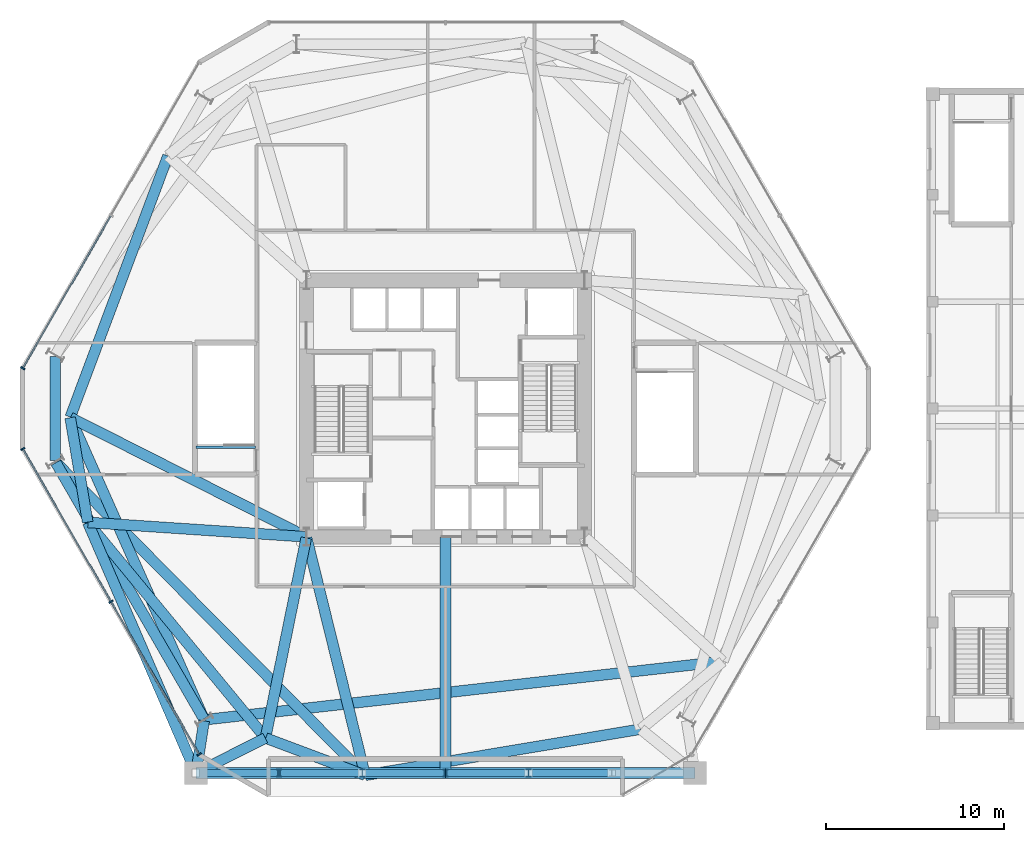
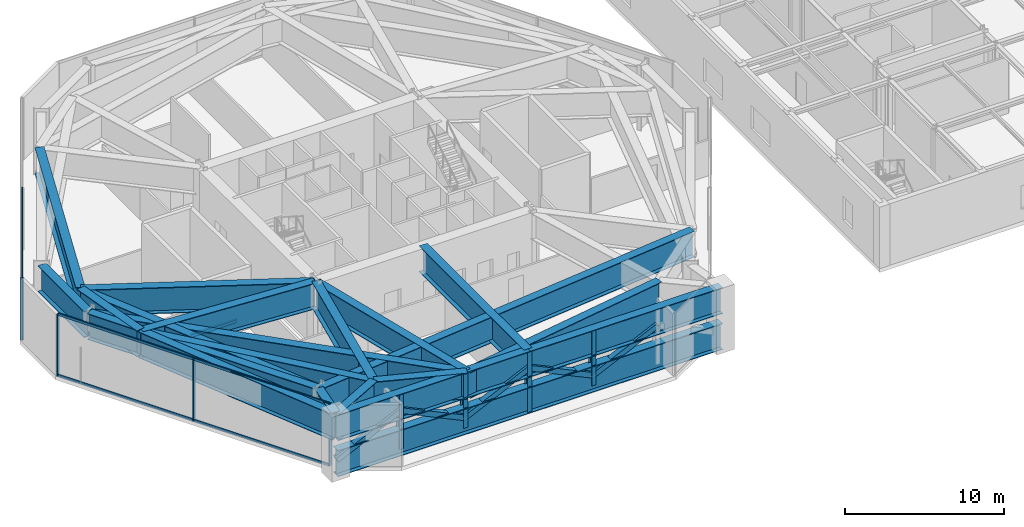
# One storey, part 5 of 16: 23 beams, 19 members, 2 elements without a shape of their own.
"""IFC4 building model written with IfcOpenShell, lengths in metres."""

from ifc_helpers import new_model, si_unit, direction, frame, origin, origin_2d, place, context, subcontext, project, spatial, rectangle, hollow_rectangle, i_section, extrude, material, layer, layer_set, material_profile, profile_set, type_object, element, aggregate, save


model = new_model("IFC4")

# Units and contexts
model_context = context("Model", 3, precision=1e-05, world=origin(), true_north=direction((0.0, 1.0)))
body_context = subcontext(model_context, "Body", "Model", "MODEL_VIEW")
ifc_project = project(units=[si_unit("LENGTHUNIT", "METRE"), si_unit("AREAUNIT", "SQUARE_METRE"), si_unit("VOLUMEUNIT", "CUBIC_METRE"), si_unit("PLANEANGLEUNIT", "RADIAN"), si_unit("MASSUNIT", "GRAM", prefix="KILO")], contexts=[model_context])

# Site, building, storey
site_placement = place(None, origin())
site = spatial("IfcSite", under=ifc_project, at=site_placement, CompositionType="ELEMENT")
building_placement = place(site_placement, origin())
building = spatial("IfcBuilding", under=site, at=building_placement, Name="Kranzbogen Civic Tower", CompositionType="ELEMENT")
storey_placement = place(building_placement, frame((0.0, 0.0, 19.0)))
storey = spatial("IfcBuildingStorey", under=building, at=storey_placement, Name="L04", CompositionType="ELEMENT", Elevation=19.0)

# Curtain wall, member
ifc_material_1 = material(Name="Pale Anodised Aluminium", Category="aluminium")
ifc_layer = layer(ifc_material_1, 0.219970703125, Name="Pale Anodised Aluminium")
ifc_layer_set = layer_set([ifc_layer], Name="Pale Anodised Aluminium")
curtain_wall_type = type_object("IfcCurtainWallType", Name="Podium Stick Curtain Wall System CW-01", PredefinedType="USERDEFINED", material=ifc_layer_set)
curtain_wall_1_placement = place(storey_placement, origin())
curtain_wall_1 = element("IfcCurtainWall", 1, at=curtain_wall_1_placement, inside=storey, type_object=curtain_wall_type, Name="L04 curtain wall CW-L04-F3", ObjectType="STICK CURTAIN WALL", PredefinedType="USERDEFINED")
ifc_material_profile_1 = material_profile(ifc_material_1, rectangle(XDim=0.0849609375, YDim=0.260009765625, at=origin_2d()), Name="ALU-M 85x260")
ifc_profile_set_1 = profile_set([ifc_material_profile_1], Name="Pale Anodised Aluminium")
member_type_1 = type_object("IfcMemberType", Name="Curtain Wall Mullion ALU-M 85x260", PredefinedType="MULLION", material=ifc_profile_set_1)
member_1_placement = place(storey_placement, frame((1.281005859375, 27.262939453125, 0.0), z_axis=(0.0, 0.0, 1.0), x_axis=(-0.500005767433, -0.86602207393, 0.0)))
member_1 = element("IfcMember", 2, at=member_1_placement, type_object=member_type_1, Name="CW-01 mullion 3", PredefinedType="MULLION", context=body_context, shape_type="SweptSolid", body=[
    extrude(rectangle(XDim=0.0849609375, YDim=0.260009765625, at=origin_2d()), origin(), (0.0, 0.0, 1.0), 4.760009765625),
])

# Curtain wall, members
curtain_wall_2_placement = place(storey_placement, origin())
curtain_wall_2 = element("IfcCurtainWall", 3, at=curtain_wall_2_placement, inside=storey, type_object=curtain_wall_type, Name="L04 curtain wall CW-L04-F4", ObjectType="STICK CURTAIN WALL", PredefinedType="USERDEFINED")
member_2_placement = place(storey_placement, frame((1.281005859375, 22.737060546875, 0.0), z_axis=(0.0, 0.0, 1.0), x_axis=(0.500005767433, -0.86602207393, 0.0)))
member_2 = element("IfcMember", 4, at=member_2_placement, type_object=member_type_1, Name="CW-01 mullion 1", PredefinedType="MULLION", context=body_context, shape_type="SweptSolid", body=[
    extrude(rectangle(XDim=0.0849609375, YDim=0.260009765625, at=origin_2d()), origin(), (0.0, 0.0, 1.0), 4.760009765625),
])
member_3_placement = place(storey_placement, frame((6.23095703125, 14.16357421875, 0.0), z_axis=(0.0, 0.0, 1.0), x_axis=(0.500005767433, -0.86602207393, 0.0)))
member_3 = element("IfcMember", 5, at=member_3_placement, type_object=member_type_1, Name="CW-01 mullion 2", PredefinedType="MULLION", context=body_context, shape_type="SweptSolid", body=[
    extrude(rectangle(XDim=0.0849609375, YDim=0.260009765625, at=origin_2d()), origin(), (0.0, 0.0, 1.0), 4.760009765625),
])
member_4_placement = place(storey_placement, frame((11.180908203125, 5.590087890625, 0.0), z_axis=(0.0, 0.0, 1.0), x_axis=(0.500005767433, -0.86602207393, 0.0)))
member_4 = element("IfcMember", 6, at=member_4_placement, type_object=member_type_1, Name="CW-01 mullion 3", PredefinedType="MULLION", context=body_context, shape_type="SweptSolid", body=[
    extrude(rectangle(XDim=0.0849609375, YDim=0.260009765625, at=origin_2d()), origin(), (0.0, 0.0, 1.0), 4.760009765625),
])

# Member
ifc_material_profile_2 = material_profile(ifc_material_1, rectangle(XDim=0.0849609375, YDim=0.195068359375, at=origin_2d()), Name="ALU-T 85x195")
ifc_profile_set_2 = profile_set([ifc_material_profile_2], Name="Pale Anodised Aluminium")
member_type_2 = type_object("IfcMemberType", Name="Curtain Wall Transom ALU-T 85x195", PredefinedType="USERDEFINED", material=ifc_profile_set_2)
member_5_placement = place(storey_placement, frame((6.216064453125, 35.810546875, 0.030029296875), z_axis=(-0.500021701106, -0.866012874282, 0.0), x_axis=(0.866012874282, -0.500021701106, 0.0)))
member_5 = element("IfcMember", 7, at=member_5_placement, type_object=member_type_2, Name="CW-01 transom 2.1", ObjectType="TRANSOM", PredefinedType="USERDEFINED", context=body_context, shape_type="SweptSolid", body=[
    extrude(rectangle(XDim=0.0849609375, YDim=0.195068359375, at=origin_2d()), origin(), (0.0, 0.0, 1.0), 9.83984375),
])

member_6_placement = place(storey_placement, frame((6.216064453125, 35.810546875, 4.72998046875), z_axis=(-0.500021701106, -0.866012874282, 0.0), x_axis=(0.866012874282, -0.500021701106, 0.0)))
member_6 = element("IfcMember", 8, at=member_6_placement, type_object=member_type_2, Name="CW-01 transom 2.2", ObjectType="TRANSOM", PredefinedType="USERDEFINED", context=body_context, shape_type="SweptSolid", body=[
    extrude(rectangle(XDim=0.0849609375, YDim=0.195068359375, at=origin_2d()), origin(), (0.0, 0.0, 1.0), 9.83984375),
])

aggregate(curtain_wall_1, [member_1, member_5, member_6])

member_7_placement = place(storey_placement, frame((1.2958984375, 22.7109375, 0.030029296875), z_axis=(0.500021701106, -0.866012874282, 0.0), x_axis=(0.866012874282, 0.500021701106, 0.0)))
member_7 = element("IfcMember", 9, at=member_7_placement, type_object=member_type_2, Name="CW-01 transom 1.1", ObjectType="TRANSOM", PredefinedType="USERDEFINED", context=body_context, shape_type="SweptSolid", body=[
    extrude(rectangle(XDim=0.0849609375, YDim=0.195068359375, at=origin_2d()), origin(), (0.0, 0.0, 1.0), 9.83984375),
])

member_8_placement = place(storey_placement, frame((1.2958984375, 22.7109375, 4.72998046875), z_axis=(0.500021701106, -0.866012874282, 0.0), x_axis=(0.866012874282, 0.500021701106, 0.0)))
member_8 = element("IfcMember", 10, at=member_8_placement, type_object=member_type_2, Name="CW-01 transom 1.2", ObjectType="TRANSOM", PredefinedType="USERDEFINED", context=body_context, shape_type="SweptSolid", body=[
    extrude(rectangle(XDim=0.0849609375, YDim=0.195068359375, at=origin_2d()), origin(), (0.0, 0.0, 1.0), 9.83984375),
])

member_9_placement = place(storey_placement, frame((6.24609375, 14.137451171875, 0.030029296875), z_axis=(0.500003092839, -0.866023618125, 0.0), x_axis=(0.866023618125, 0.500003092839, 0.0)))
member_9 = element("IfcMember", 11, at=member_9_placement, type_object=member_type_2, Name="CW-01 transom 2.1", ObjectType="TRANSOM", PredefinedType="USERDEFINED", context=body_context, shape_type="SweptSolid", body=[
    extrude(rectangle(XDim=0.0849609375, YDim=0.195068359375, at=origin_2d()), origin(), (0.0, 0.0, 1.0), 9.83984375),
])

member_10_placement = place(storey_placement, frame((6.24609375, 14.137451171875, 4.72998046875), z_axis=(0.500003092839, -0.866023618125, 0.0), x_axis=(0.866023618125, 0.500003092839, 0.0)))
member_10 = element("IfcMember", 12, at=member_10_placement, type_object=member_type_2, Name="CW-01 transom 2.2", ObjectType="TRANSOM", PredefinedType="USERDEFINED", context=body_context, shape_type="SweptSolid", body=[
    extrude(rectangle(XDim=0.0849609375, YDim=0.195068359375, at=origin_2d()), origin(), (0.0, 0.0, 1.0), 9.83984375),
])

aggregate(curtain_wall_2, [member_2, member_3, member_4, member_7, member_8, member_9, member_10])

# Members
ifc_material_2 = material(Name="Steel S460", Category="steel")
ifc_material_profile_3 = material_profile(ifc_material_2, hollow_rectangle(XDim=0.39990234375, YDim=0.39990234375, WallThickness=0.02490234375, at=origin_2d()), Name="SHS 400x400x25")
ifc_profile_set_3 = profile_set([ifc_material_profile_3], Name="Steel S460")
member_type_3 = type_object("IfcMemberType", Name="Portal Arch Diagonal SHS 400x400x25", PredefinedType="BRACE", material=ifc_profile_set_3)
member_11_placement = place(storey_placement, frame((11.0, 4.550048828125, 1.199951171875), z_axis=(0.904540764759, 0.0, 0.426387153758), x_axis=(0.0, 1.0, 0.0)))
element("IfcMember", 13, at=member_11_placement, inside=storey, type_object=member_type_3, Name="DG-400: L04 portal arch diagonal 1", PredefinedType="BRACE", context=body_context, shape_type="SweptSolid", body=[
    extrude(hollow_rectangle(XDim=0.39990234375, YDim=0.39990234375, WallThickness=0.02490234375, at=origin_2d()), origin(), (0.0, 0.0, 1.0), 5.159423828125),
])
member_12_placement = place(storey_placement, frame((20.3330078125, 4.550048828125, 1.199951171875), z_axis=(-0.904506344758, 0.0, 0.426460164955), x_axis=(0.0, -1.0, 0.0)))
element("IfcMember", 14, at=member_12_placement, inside=storey, type_object=member_type_3, Name="DG-400: L04 portal arch diagonal 2", PredefinedType="BRACE", context=body_context, shape_type="SweptSolid", body=[
    extrude(hollow_rectangle(XDim=0.39990234375, YDim=0.39990234375, WallThickness=0.02490234375, at=origin_2d()), origin(), (0.0, 0.0, 1.0), 5.15869140625),
])
for number, where, z_axis, x_axis, name in (
    (15, (20.3330078125, 4.550048828125, 1.199951171875), (0.904540764759, 0.0, 0.426387153758), (0.0, 1.0, 0.0), "DG-400: L04 portal arch diagonal 3"),
    (16, (29.6669921875, 4.550048828125, 1.199951171875), (-0.904540764759, 0.0, 0.426387153758), (0.0, -1.0, 0.0), "DG-400: L04 portal arch diagonal 4"),
    (17, (29.6669921875, 4.550048828125, 1.199951171875), (0.904540764759, 0.0, 0.426387153758), (0.0, 1.0, 0.0), "DG-400: L04 portal arch diagonal 5"),
):
    element("IfcMember", number, at=place(storey_placement, frame(where, z_axis=z_axis, x_axis=x_axis)), inside=storey, type_object=member_type_3, Name=name, PredefinedType="BRACE", context=body_context, shape_type="SweptSolid", body=[
        extrude(hollow_rectangle(XDim=0.39990234375, YDim=0.39990234375, WallThickness=0.02490234375, at=origin_2d()), origin(), (0.0, 0.0, 1.0), 5.159423828125),
    ])
ifc_material_profile_4 = material_profile(ifc_material_2, i_section(OverallWidth=0.306884765625, OverallDepth=0.431884765625, WebThickness=0.02099609375, FlangeThickness=0.0400390625, at=origin_2d()), Name="HEM 400")
ifc_profile_set_4 = profile_set([ifc_material_profile_4], Name="Steel S460")
member_type_4 = type_object("IfcMemberType", Name="Portal Arch Web Post HEM 400", PredefinedType="POST", material=ifc_profile_set_4)
member_13_placement = place(storey_placement, frame((25.0, 4.550048828125, 0.0), z_axis=(0.0, 0.0, 1.0), x_axis=(1.0, 0.0, 0.0)))
element("IfcMember", 18, at=member_13_placement, inside=storey, type_object=member_type_4, Name="PST-4: L04 portal arch crown web post", PredefinedType="POST", context=body_context, shape_type="SweptSolid", body=[
    extrude(i_section(OverallWidth=0.306884765625, OverallDepth=0.431884765625, WebThickness=0.02099609375, FlangeThickness=0.0400390625, at=origin_2d()), origin(), (0.0, 0.0, 1.0), 4.699951171875),
])
for number, where, z_axis, x_axis, name in (
    (19, (15.6669921875, 4.550048828125, 0.449951171875), (0.0, 0.0, 1.0), (1.0, 0.0, 0.0), "PST-4: L04 portal arch web post 1"),
    (20, (20.3330078125, 4.550048828125, 0.449951171875), (0.0, 0.0, 1.0), (1.0, 0.0, 0.0), "PST-4: L04 portal arch web post 2"),
    (21, (29.6669921875, 4.550048828125, 0.449951171875), (0.0, 0.0, 1.0), (1.0, 0.0, 0.0), "PST-4: L04 portal arch web post 4"),
):
    element("IfcMember", number, at=place(storey_placement, frame(where, z_axis=z_axis, x_axis=x_axis)), inside=storey, type_object=member_type_4, Name=name, PredefinedType="POST", context=body_context, shape_type="SweptSolid", body=[
        extrude(i_section(OverallWidth=0.306884765625, OverallDepth=0.431884765625, WebThickness=0.02099609375, FlangeThickness=0.0400390625, at=origin_2d()), origin(), (0.0, 0.0, 1.0), 4.25),
    ])

# Beams
ifc_material_3 = material(Name="Steel S355", Category="steel")
ifc_material_profile_5 = material_profile(ifc_material_3, i_section(OverallWidth=0.135009765625, OverallDepth=0.27001953125, WebThickness=0.006591796875, FlangeThickness=0.01025390625, at=origin_2d()), Name="IPE 270")
ifc_profile_set_5 = profile_set([ifc_material_profile_5], Name="Steel S355")
beam_type_1 = type_object("IfcBeamType", Name="Stair Landing Support Beam IPE 270", PredefinedType="JOIST", material=ifc_profile_set_5)
beam_1_placement = place(storey_placement, frame((14.35009765625, 22.840087890625, -0.43505859375), z_axis=(-1.0, 0.0, 0.0), x_axis=(0.0, -1.0, 0.0)))
element("IfcBeam", 22, at=beam_1_placement, inside=storey, type_object=beam_type_1, Name="L04 ST-P1 stair floor header beam", PredefinedType="JOIST", context=body_context, shape_type="SweptSolid", body=[
    extrude(i_section(OverallWidth=0.135009765625, OverallDepth=0.27001953125, WebThickness=0.006591796875, FlangeThickness=0.01025390625, at=origin_2d()), origin(), (0.0, 0.0, 1.0), 3.35009765625),
])
ifc_material_profile_6 = material_profile(ifc_material_2, i_section(OverallWidth=0.60009765625, OverallDepth=2.0, WebThickness=0.028076171875, FlangeThickness=0.0400390625, at=origin_2d()), Name="WPG 2000x600x28x40")
ifc_profile_set_6 = profile_set([ifc_material_profile_6], Name="Steel S460")
beam_type_2 = type_object("IfcBeamType", Name="Welded Transfer Girder WPG 2000x600x28x40", PredefinedType="BEAM", material=ifc_profile_set_6)
beam_2_placement = place(storey_placement, frame((3.139892578125, 21.9619140625, 3.760009765625), z_axis=(0.500010210561, -0.866019508634, 0.0), x_axis=(0.866019508634, 0.500010210561, 0.0)))
element("IfcBeam", 23, at=beam_2_placement, inside=storey, type_object=beam_type_2, Name="TG-2000: L04 lower perimeter transfer ring girder 01", PredefinedType="BEAM", context=body_context, shape_type="SweptSolid", body=[
    extrude(i_section(OverallWidth=0.60009765625, OverallDepth=2.0, WebThickness=0.028076171875, FlangeThickness=0.0400390625, at=origin_2d()), origin(), (0.0, 0.0, 1.0), 16.597900390625),
])
beam_3_placement = place(storey_placement, frame((11.4599609375, 7.47705078125, 3.760009765625), z_axis=(-0.155310516678, -0.9878657011, 0.0), x_axis=(0.9878657011, -0.155310516678, 0.0)))
element("IfcBeam", 24, at=beam_3_placement, inside=storey, type_object=beam_type_2, Name="TG-2000: L04 lower perimeter transfer ring girder 02", PredefinedType="BEAM", context=body_context, shape_type="SweptSolid", body=[
    extrude(i_section(OverallWidth=0.60009765625, OverallDepth=2.0, WebThickness=0.028076171875, FlangeThickness=0.0400390625, at=origin_2d()), origin(), (0.0, 0.0, 1.0), 2.9033203125),
])
beam_4_placement = place(storey_placement, frame((3.110107421875, 27.926025390625, 3.760009765625), z_axis=(0.0, -1.0, 0.0), x_axis=(1.0, 0.0, 0.0)))
element("IfcBeam", 25, at=beam_4_placement, inside=storey, type_object=beam_type_2, Name="TG-2000: L04 lower perimeter transfer ring girder 12", PredefinedType="BEAM", context=body_context, shape_type="SweptSolid", body=[
    extrude(i_section(OverallWidth=0.60009765625, OverallDepth=2.0, WebThickness=0.028076171875, FlangeThickness=0.0400390625, at=origin_2d()), origin(), (0.0, 0.0, 1.0), 5.85205078125),
])
beam_5_placement = place(storey_placement, frame((3.945068359375, 24.489013671875, 3.760009765625), z_axis=(0.165098582094, -0.986277069687, 0.0), x_axis=(0.986277069687, 0.165098582094, 0.0)))
element("IfcBeam", 26, at=beam_5_placement, inside=storey, type_object=beam_type_2, Name="TG-2000: L04 upper perimeter transfer ring girder 01", PredefinedType="BEAM", context=body_context, shape_type="SweptSolid", body=[
    extrude(i_section(OverallWidth=0.60009765625, OverallDepth=2.0, WebThickness=0.028076171875, FlangeThickness=0.0400390625, at=origin_2d()), origin(), (0.0, 0.0, 1.0), 5.941650390625),
])
beam_6_placement = place(storey_placement, frame((4.93798828125, 18.60205078125, 3.760009765625), z_axis=(0.636082345303, -0.771621182961, 0.0), x_axis=(0.771621182961, 0.636082345303, 0.0)))
element("IfcBeam", 27, at=beam_6_placement, inside=storey, type_object=beam_type_2, Name="TG-2000: L04 upper perimeter transfer ring girder 02", PredefinedType="BEAM", context=body_context, shape_type="SweptSolid", body=[
    extrude(i_section(OverallWidth=0.60009765625, OverallDepth=2.0, WebThickness=0.028076171875, FlangeThickness=0.0400390625, at=origin_2d()), origin(), (0.0, 0.0, 1.0), 15.6474609375),
])
beam_7_placement = place(storey_placement, frame((14.9150390625, 6.510986328125, 3.760009765625), z_axis=(0.936615884694, -0.350357937743, 0.0), x_axis=(0.350357937743, 0.936615884694, 0.0)))
element("IfcBeam", 28, at=beam_7_placement, inside=storey, type_object=beam_type_2, Name="TG-2000: L04 upper perimeter transfer ring girder 03", PredefinedType="BEAM", context=body_context, shape_type="SweptSolid", body=[
    extrude(i_section(OverallWidth=0.60009765625, OverallDepth=2.0, WebThickness=0.028076171875, FlangeThickness=0.0400390625, at=origin_2d()), origin(), (0.0, 0.0, 1.0), 5.942626953125),
])
for number, where, z_axis, x_axis, name in (
    (29, (20.510009765625, 4.426025390625, 3.760009765625), (0.98627136419, 0.165132662363, 0.0), (-0.165132662363, 0.98627136419, 0.0), "TG-2000: L04 upper perimeter transfer ring girder 04"),
    (30, (9.427978515625, 39.175048828125, 3.760009765625), (-0.35020509892, -0.936673042577, 0.0), (0.936673042577, -0.35020509892, 0.0), "TG-2000: L04 upper perimeter transfer ring girder 12"),
):
    element("IfcBeam", number, at=place(storey_placement, frame(where, z_axis=z_axis, x_axis=x_axis)), inside=storey, type_object=beam_type_2, Name=name, PredefinedType="BEAM", context=body_context, shape_type="SweptSolid", body=[
        extrude(i_section(OverallWidth=0.60009765625, OverallDepth=2.0, WebThickness=0.028076171875, FlangeThickness=0.0400390625, at=origin_2d()), origin(), (0.0, 0.0, 1.0), 15.64794921875),
    ])
beam_8_placement = place(storey_placement, frame((17.14599609375, 17.826904296875, 3.760009765625), z_axis=(-0.89238295573, 0.451278916328, 0.0), x_axis=(-0.451278916328, -0.89238295573, 0.0)))
element("IfcBeam", 31, at=beam_8_placement, inside=storey, type_object=beam_type_2, Name="TG-2000: L04 radial column transfer girder 01", PredefinedType="BEAM", context=body_context, shape_type="SweptSolid", body=[
    extrude(i_section(OverallWidth=0.60009765625, OverallDepth=2.0, WebThickness=0.028076171875, FlangeThickness=0.0400390625, at=origin_2d()), origin(), (0.0, 0.0, 1.0), 14.780517578125),
])
beam_9_placement = place(storey_placement, frame((11.448974609375, 7.58203125, 3.760009765625), z_axis=(-0.405477042842, 0.91410522793, 0.0), x_axis=(-0.91410522793, -0.405477042842, 0.0)))
element("IfcBeam", 32, at=beam_9_placement, inside=storey, type_object=beam_type_2, Name="TG-2000: L04 perimeter column transfer girder 01", PredefinedType="BEAM", context=body_context, shape_type="SweptSolid", body=[
    extrude(i_section(OverallWidth=0.60009765625, OverallDepth=2.0, WebThickness=0.028076171875, FlangeThickness=0.0400390625, at=origin_2d()), origin(), (0.0, 0.0, 1.0), 18.496826171875),
])
beam_10_placement = place(storey_placement, frame((17.139892578125, 17.803955078125, 3.760009765625), z_axis=(-0.99780702088, 0.066190249153, 0.0), x_axis=(-0.066190249153, -0.99780702088, 0.0)))
element("IfcBeam", 33, at=beam_10_placement, inside=storey, type_object=beam_type_2, Name="TG-2000: L04 radial column transfer girder 02", PredefinedType="BEAM", context=body_context, shape_type="SweptSolid", body=[
    extrude(i_section(OverallWidth=0.60009765625, OverallDepth=2.0, WebThickness=0.028076171875, FlangeThickness=0.0400390625, at=origin_2d()), origin(), (0.0, 0.0, 1.0), 12.2236328125),
])
beam_11_placement = place(storey_placement, frame((10.97998046875, 4.595947265625, 3.760009765625), z_axis=(-0.396361512873, 0.918094521884, 0.0), x_axis=(-0.918094521884, -0.396361512873, 0.0)))
element("IfcBeam", 34, at=beam_11_placement, inside=storey, type_object=beam_type_2, Name="TG-2000: L04 perimeter column transfer girder 02", PredefinedType="BEAM", context=body_context, shape_type="SweptSolid", body=[
    extrude(i_section(OverallWidth=0.60009765625, OverallDepth=2.0, WebThickness=0.028076171875, FlangeThickness=0.0400390625, at=origin_2d()), origin(), (0.0, 0.0, 1.0), 15.25341796875),
])
beam_12_placement = place(storey_placement, frame((17.18798828125, 17.740966796875, 3.760009765625), z_axis=(-0.199640150189, -0.979869282319, 0.0), x_axis=(0.979869282319, -0.199640150189, 0.0)))
element("IfcBeam", 35, at=beam_12_placement, inside=storey, type_object=beam_type_2, Name="TG-2000: L04 radial column transfer girder 03", PredefinedType="BEAM", context=body_context, shape_type="SweptSolid", body=[
    extrude(i_section(OverallWidth=0.60009765625, OverallDepth=2.0, WebThickness=0.028076171875, FlangeThickness=0.0400390625, at=origin_2d()), origin(), (0.0, 0.0, 1.0), 11.440185546875),
])
beam_13_placement = place(storey_placement, frame((11.044921875, 4.572998046875, 3.760009765625), z_axis=(0.893072810074, 0.449912164658, 0.0), x_axis=(-0.449912164658, 0.893072810074, 0.0)))
element("IfcBeam", 36, at=beam_13_placement, inside=storey, type_object=beam_type_2, Name="TG-2000: L04 perimeter column transfer girder 03", PredefinedType="BEAM", context=body_context, shape_type="SweptSolid", body=[
    extrude(i_section(OverallWidth=0.60009765625, OverallDepth=2.0, WebThickness=0.028076171875, FlangeThickness=0.0400390625, at=origin_2d()), origin(), (0.0, 0.0, 1.0), 4.30322265625),
])
beam_14_placement = place(storey_placement, frame((17.214111328125, 17.741943359375, 3.760009765625), z_axis=(0.239175686955, -0.970976308037, 0.0), x_axis=(0.970976308037, 0.239175686955, 0.0)))
element("IfcBeam", 37, at=beam_14_placement, inside=storey, type_object=beam_type_2, Name="TG-2000: L04 radial column transfer girder 04", PredefinedType="BEAM", context=body_context, shape_type="SweptSolid", body=[
    extrude(i_section(OverallWidth=0.60009765625, OverallDepth=2.0, WebThickness=0.028076171875, FlangeThickness=0.0400390625, at=origin_2d()), origin(), (0.0, 0.0, 1.0), 13.70068359375),
])
beam_15_placement = place(storey_placement, frame((3.14501953125, 21.97802734375, 3.760009765625), z_axis=(0.702957305021, -0.711232048854, 0.0), x_axis=(0.711232048854, 0.702957305021, 0.0)))
element("IfcBeam", 38, at=beam_15_placement, inside=storey, type_object=beam_type_2, Name="TG-2000: L04 perimeter column transfer girder 04", PredefinedType="BEAM", context=body_context, shape_type="SweptSolid", body=[
    extrude(i_section(OverallWidth=0.60009765625, OverallDepth=2.0, WebThickness=0.028076171875, FlangeThickness=0.0400390625, at=origin_2d()), origin(), (0.0, 0.0, 1.0), 24.66552734375),
])
beam_16_placement = place(storey_placement, frame((11.51904296875, 7.5419921875, 3.760009765625), z_axis=(0.993727962086, 0.111824583024, 0.0), x_axis=(-0.111824583024, 0.993727962086, 0.0)))
element("IfcBeam", 39, at=beam_16_placement, inside=storey, type_object=beam_type_2, Name="TG-2000: L04 perimeter column transfer girder 06", PredefinedType="BEAM", context=body_context, shape_type="SweptSolid", body=[
    extrude(i_section(OverallWidth=0.60009765625, OverallDepth=2.0, WebThickness=0.028076171875, FlangeThickness=0.0400390625, at=origin_2d()), origin(), (0.0, 0.0, 1.0), 29.21630859375),
])
beam_17_placement = place(storey_placement, frame((25.0, 4.550048828125, 3.760009765625), z_axis=(0.0, 1.0, 0.0), x_axis=(-1.0, 0.0, 0.0)))
element("IfcBeam", 40, at=beam_17_placement, inside=storey, type_object=beam_type_2, Name="TG-2000: L04 South portal radial girder", PredefinedType="BEAM", context=body_context, shape_type="SweptSolid", body=[
    extrude(i_section(OverallWidth=0.60009765625, OverallDepth=2.0, WebThickness=0.028076171875, FlangeThickness=0.0400390625, at=origin_2d()), origin(), (0.0, 0.0, 1.0), 13.25),
])
for number, where, z_axis, x_axis, name in (
    (41, (11.0, 4.550048828125, 3.760009765625), (1.0, 0.0, 0.0), (0.0, 1.0, 0.0), "TG-2000: L04 portal arch top girder 1"),
    (42, (11.0, 4.550048828125, 1.0), (1.0, 0.0, 0.0), (0.0, 1.0, 0.0), "TG-2000: L04 portal arch bottom girder 1"),
    (43, (25.0, 4.550048828125, 3.760009765625), (1.0, 0.0, 0.0), (0.0, 1.0, 0.0), "TG-2000: L04 portal arch top girder 2"),
    (44, (25.0, 4.550048828125, 1.0), (1.0, 0.0, 0.0), (0.0, 1.0, 0.0), "TG-2000: L04 portal arch bottom girder 2"),
):
    element("IfcBeam", number, at=place(storey_placement, frame(where, z_axis=z_axis, x_axis=x_axis)), inside=storey, type_object=beam_type_2, Name=name, PredefinedType="BEAM", context=body_context, shape_type="SweptSolid", body=[
        extrude(i_section(OverallWidth=0.60009765625, OverallDepth=2.0, WebThickness=0.028076171875, FlangeThickness=0.0400390625, at=origin_2d()), origin(), (0.0, 0.0, 1.0), 14.0),
    ])

save(model, "model.ifc")
